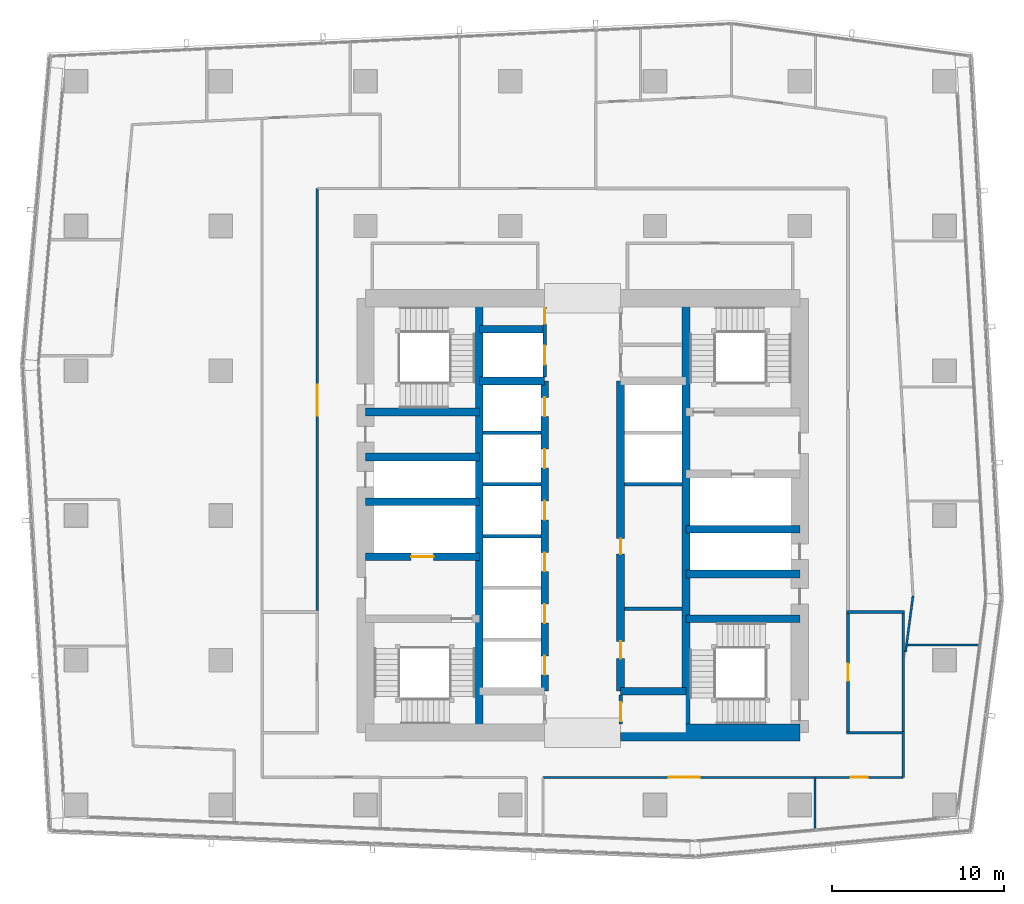
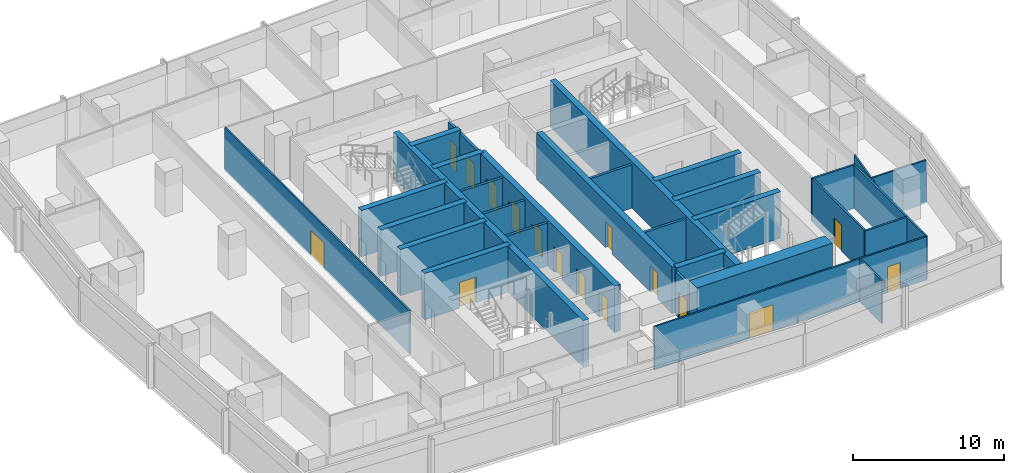
# One storey, part 28 of 38: 34 walls, 16 doors, 16 openings.
"""IFC4 building model written with IfcOpenShell, lengths in metres."""

import ifcopenshell
import ifcopenshell.guid

model = None  # the IFC model being written
_history = None  # IfcOwnerHistory: only IFC2X3 demands one
_inside = {}  # id of a spatial element -> (the spatial element, [elements in it])
_under = {}  # id of a project, library or spatial element -> (it, [spatial elements below it])
_declared = {}  # id of a project -> (the project, [libraries it declares])
_typed = {}  # id of a type object -> (the type object, [elements of that type])
_made_of = {}  # id of a material, layer set ... -> (it, [elements and type objects made of it])


def new_model(schema):
    """Start an empty IFC model of exactly this schema.

    Asked for "IFC4X3", IfcOpenShell would pick the latest addendum, in which some entities
    have other attributes; the version numbers below select the first issue.
    IFC2X3 requires an IfcOwnerHistory on every rooted entity: one is made here for all.
    """
    global model, _history
    if schema == "IFC4X3":
        model = ifcopenshell.file(schema_version=(4, 3, 0, 0))
    else:
        model = ifcopenshell.file(schema=schema)
    _inside.clear()
    _under.clear()
    _declared.clear()
    _typed.clear()
    _made_of.clear()
    _history = None
    if model.schema == "IFC2X3":
        org = make("IfcOrganization", Name="unknown")
        user = make(
            "IfcPersonAndOrganization",
            ThePerson=make("IfcPerson", FamilyName="unknown"),
            TheOrganization=org,
        )
        app = make(
            "IfcApplication",
            ApplicationDeveloper=org,
            Version="unknown",
            ApplicationFullName="unknown",
            ApplicationIdentifier="unknown",
        )
        _history = make(
            "IfcOwnerHistory",
            OwningUser=user,
            OwningApplication=app,
            ChangeAction="ADDED",
            CreationDate=0,
        )
    return model


def make(cls, **values):
    """One entity of the class cls with the attributes given. An attribute that is None is left unset."""
    return model.create_entity(
        cls, **{name: value for name, value in values.items() if value is not None}
    )


def rooted(cls, **values):
    """An entity with a GlobalId (a new one), such as an element, a storey or a relation."""
    return make(cls, GlobalId=ifcopenshell.guid.new(), OwnerHistory=_history, **values)


def si_unit(unit_type, name, prefix=None):
    """IfcSIUnit, for example si_unit("LENGTHUNIT", "METRE", prefix="MILLI")."""
    return make("IfcSIUnit", UnitType=unit_type, Prefix=prefix, Name=name)


def assignment(units):
    """IfcUnitAssignment: the units of a project."""
    return None if units is None else make("IfcUnitAssignment", Units=units)


def point(xyz):
    """IfcCartesianPoint."""
    return None if xyz is None else make("IfcCartesianPoint", Coordinates=xyz)


def direction(xyz):
    """IfcDirection."""
    return None if xyz is None else make("IfcDirection", DirectionRatios=xyz)


def frame(location, z_axis=None, x_axis=None):
    """IfcAxis2Placement3D, a coordinate frame: its origin and axes. An axis left out is left unset."""
    return make(
        "IfcAxis2Placement3D",
        Location=point(location),
        Axis=direction(z_axis),
        RefDirection=direction(x_axis),
    )


def frame_2d(location, x_axis=None):
    """IfcAxis2Placement2D, a coordinate frame in the plane: its origin and x axis."""
    return make(
        "IfcAxis2Placement2D", Location=point(location), RefDirection=direction(x_axis)
    )


def origin():
    """The frame at (0, 0, 0) with its axes left unset."""
    return frame((0.0, 0.0, 0.0))


def place(relative_to, where):
    """IfcLocalPlacement: puts the frame where relative to a parent placement (None: the world)."""
    return make(
        "IfcLocalPlacement", PlacementRelTo=relative_to, RelativePlacement=where
    )


def context(
    kind, dimensions, precision=None, world=None, true_north=None, identifier=None
):
    """IfcGeometricRepresentationContext, for example the 3D "Model" context."""
    return make(
        "IfcGeometricRepresentationContext",
        ContextIdentifier=identifier,
        ContextType=kind,
        CoordinateSpaceDimension=dimensions,
        Precision=precision,
        WorldCoordinateSystem=world,
        TrueNorth=true_north,
    )


def subcontext(parent, identifier, kind, view, scale=None):
    """IfcGeometricRepresentationSubContext, for example "Body" below "Model"."""
    return make(
        "IfcGeometricRepresentationSubContext",
        ContextIdentifier=identifier,
        ContextType=kind,
        ParentContext=parent,
        TargetScale=scale,
        TargetView=view,
    )


def project(units=None, contexts=None):
    """IfcProject with its units and contexts."""
    return rooted(
        "IfcProject",
        Name="project",
        RepresentationContexts=contexts,
        UnitsInContext=assignment(units),
    )


def spatial(cls, under=None, at=None, **own):
    """A site, building, storey or space (cls), placed at a placement, below another one or the project."""
    s = rooted(cls, ObjectPlacement=at, **own)
    if under is not None:
        _under.setdefault(under.id(), (under, []))[1].append(s)
    return s


def profile(cls, at=None, kind="AREA", **sizes):
    """A parametric profile (cls). Its sizes go by their IFC names, for example OverallWidth=200.0."""
    return make(cls, ProfileType=kind, Position=at, **sizes)


def rectangle(**sizes):
    """IfcRectangleProfileDef."""
    return profile("IfcRectangleProfileDef", **sizes)


def extrude(swept, where, along, depth):
    """IfcExtrudedAreaSolid: the profile swept, set in the frame where, extruded along a direction by depth."""
    return make(
        "IfcExtrudedAreaSolid",
        SweptArea=swept,
        Position=where,
        ExtrudedDirection=direction(along),
        Depth=depth,
    )


def shape(context_of_items, identifier, shape_type, items):
    """IfcShapeRepresentation: the items that make up one representation, for example the "Body"."""
    return make(
        "IfcShapeRepresentation",
        ContextOfItems=context_of_items,
        RepresentationIdentifier=identifier,
        RepresentationType=shape_type,
        Items=items,
    )


def material(Name=None, Category=None):
    """IfcMaterial."""
    return make("IfcMaterial", Name=Name, Category=Category)


def layer(
    of_material, thickness, ventilated=None, Name=None, Category=None, Priority=None
):
    """IfcMaterialLayer: one layer of a wall or slab, of a material (None: an air gap)."""
    return make(
        "IfcMaterialLayer",
        Material=of_material,
        LayerThickness=thickness,
        IsVentilated=ventilated,
        Name=Name,
        Category=Category,
        Priority=Priority,
    )


def layer_set(layers, Name=None):
    """IfcMaterialLayerSet."""
    return make("IfcMaterialLayerSet", MaterialLayers=layers, LayerSetName=Name)


def made_of(thing, what):
    """Note that an element or type object is made of a material, layer set ...; save() writes the relation."""
    if what is not None:
        _made_of.setdefault(what.id(), (what, []))[1].append(thing)
    return thing


def type_object(cls, material=None, **own):
    """A type object (cls), such as IfcWallType, which elements share."""
    return made_of(rooted(cls, **own), material)


def element(
    cls,
    number,
    at=None,
    inside=None,
    cuts=None,
    type_object=None,
    material=None,
    context=None,
    identifier="Body",
    shape_type=None,
    held_by="IfcProductDefinitionShape",
    body=None,
    shapes=None,
    **own,
):
    """One element of the class cls, such as IfcWall. Its Tag is "e" and its number.

    at: its placement. inside: the storey or other place that contains it. cuts: it is an
    opening in that element (IfcRelVoidsElement). A single representation is given by context,
    identifier, shape_type and body (its items); several are given by shapes. held_by: the class
    of the entity that holds the representations. save() writes the other relations.
    """
    e = rooted(cls, Tag="e%d" % number, ObjectPlacement=at, **own)
    if body is not None:
        shapes = [shape(context, identifier, shape_type, body)]
    if shapes is not None:
        e.Representation = make(held_by, Representations=shapes)
    if inside is not None:
        _inside.setdefault(inside.id(), (inside, []))[1].append(e)
    if cuts is not None:
        rooted(
            "IfcRelVoidsElement", RelatingBuildingElement=cuts, RelatedOpeningElement=e
        )
    if type_object is not None:
        _typed.setdefault(type_object.id(), (type_object, []))[1].append(e)
    return made_of(e, material)


def fill(opening, filler):
    """IfcRelFillsElement: the door or window that sits in an opening."""
    return rooted(
        "IfcRelFillsElement",
        RelatingOpeningElement=opening,
        RelatedBuildingElement=filler,
    )


def aggregate(whole, parts):
    """IfcRelAggregates: a whole, such as a stair, and the parts it consists of."""
    return rooted("IfcRelAggregates", RelatingObject=whole, RelatedObjects=parts)


def save(model, path):
    """Write the relations noted so far, then the file.

    IfcRelAggregates (storeys below a building ...), IfcRelContainedInSpatialStructure (elements
    in a storey), IfcRelDefinesByType, IfcRelAssociatesMaterial and IfcRelDeclares: one each for
    every whole, place, type object, material and project.
    """
    for whole, parts in _under.values():
        aggregate(whole, parts)
    for where, things in _inside.values():
        rooted(
            "IfcRelContainedInSpatialStructure",
            RelatedElements=things,
            RelatingStructure=where,
        )
    for kind, things in _typed.values():
        rooted("IfcRelDefinesByType", RelatedObjects=things, RelatingType=kind)
    for what, things in _made_of.values():
        rooted("IfcRelAssociatesMaterial", RelatedObjects=things, RelatingMaterial=what)
    for by, libraries in _declared.values():
        rooted("IfcRelDeclares", RelatingContext=by, RelatedDefinitions=libraries)
    model.write(path)


model = new_model("IFC4")

# Units and contexts
model_context = context("Model", 3, precision=1e-05, world=origin(), true_north=direction((0.0, 1.0)))
body_context = subcontext(model_context, "Body", "Model", "MODEL_VIEW")
ifc_project = project(units=[si_unit("LENGTHUNIT", "METRE"), si_unit("AREAUNIT", "SQUARE_METRE"), si_unit("VOLUMEUNIT", "CUBIC_METRE"), si_unit("PLANEANGLEUNIT", "RADIAN"), si_unit("MASSUNIT", "GRAM", prefix="KILO")], contexts=[model_context])

# Site, building, storey
site_placement = place(None, origin())
site = spatial("IfcSite", under=ifc_project, at=site_placement, CompositionType="ELEMENT")
building_placement = place(site_placement, origin())
building = spatial("IfcBuilding", under=site, at=building_placement, Name="Rekha Terrace Tower", CompositionType="ELEMENT")
storey_placement = place(building_placement, frame((0.0, 0.0, 202.699951171875)))
storey = spatial("IfcBuildingStorey", under=building, at=storey_placement, Name="L51", CompositionType="ELEMENT", Elevation=202.699951171875)

# Walls
ifc_material_1 = material(Name="Concrete M60", Category="concrete")
ifc_layer_1 = layer(ifc_material_1, 0.449951171875)
ifc_layer_set_1 = layer_set([ifc_layer_1], Name="Concrete M60")
wall_type_1 = type_object("IfcWallType", Name="CI3 450 core internal shear wall", PredefinedType="SHEAR", material=ifc_layer_set_1)
for number, where, z_axis, x_axis, name in (
    (1, (31.800048828125, 21.0, 0.0), (0.0, 0.0, 1.0), (0.0, 1.0, 0.0), "Core wall X318 L51"),
    (2, (43.800048828125, 21.0, 0.0), (0.0, 0.0, 1.0), (0.0, 1.0, 0.0), "Core wall X438 L51"),
):
    element("IfcWall", number, at=place(storey_placement, frame(where, z_axis=z_axis, x_axis=x_axis)), inside=storey, type_object=wall_type_1, Name=name, PredefinedType="SHEAR", context=body_context, shape_type="SweptSolid", body=[
        extrude(rectangle(XDim=25.199951171875, YDim=0.449951171875, at=frame_2d((12.60009765625, 0.0))), origin(), (0.0, 0.0, 1.0), 3.75),
    ])

# Wall, openings, doors
wall_1_placement = place(storey_placement, frame((35.60009765625, 23.39990234375, 0.0), z_axis=(0.0, 0.0, 1.0), x_axis=(0.0, 1.0, 0.0)))
wall_1 = element("IfcWall", 3, at=wall_1_placement, inside=storey, type_object=wall_type_1, Name="Core wall X356 L51", PredefinedType="SHEAR", context=body_context, shape_type="SweptSolid", body=[
    extrude(rectangle(XDim=18.0, YDim=0.449951171875, at=frame_2d((9.0, 0.0))), origin(), (0.0, 0.0, 1.0), 3.75),
])
opening_1_placement = place(wall_1_placement, frame((0.949951171875, 0.0, 0.0)))
opening_1 = element("IfcOpeningElement", 4, at=opening_1_placement, cuts=wall_1, Name="Opening LD1", PredefinedType="OPENING", context=body_context, shape_type="SweptSolid", body=[
    extrude(rectangle(XDim=1.10009765625, YDim=2.10009765625, at=frame_2d((0.550048828125, 1.050048828125))), frame((0.0, 0.23486328125, 0.0), z_axis=(0.0, -1.0, 0.0), x_axis=(1.0, 0.0, 0.0)), (0.0, 0.0, 1.0), 0.469970703125),
])
opening_2_placement = place(wall_1_placement, frame((3.949951171875, 0.0, 0.0)))
opening_2 = element("IfcOpeningElement", 5, at=opening_2_placement, cuts=wall_1, Name="Opening LD1", PredefinedType="OPENING", context=body_context, shape_type="SweptSolid", body=[
    extrude(rectangle(XDim=1.10009765625, YDim=2.10009765625, at=frame_2d((0.550048828125, 1.050048828125))), frame((0.0, 0.23486328125, 0.0), z_axis=(0.0, -1.0, 0.0), x_axis=(1.0, 0.0, 0.0)), (0.0, 0.0, 1.0), 0.469970703125),
])
opening_3_placement = place(wall_1_placement, frame((6.949951171875, 0.0, 0.0)))
opening_3 = element("IfcOpeningElement", 6, at=opening_3_placement, cuts=wall_1, Name="Opening LD1", PredefinedType="OPENING", context=body_context, shape_type="SweptSolid", body=[
    extrude(rectangle(XDim=1.10009765625, YDim=2.10009765625, at=frame_2d((0.550048828125, 1.050048828125))), frame((0.0, 0.23486328125, 0.0), z_axis=(0.0, -1.0, 0.0), x_axis=(1.0, 0.0, 0.0)), (0.0, 0.0, 1.0), 0.469970703125),
])
opening_4_placement = place(wall_1_placement, frame((9.949951171875, 0.0, 0.0)))
opening_4 = element("IfcOpeningElement", 7, at=opening_4_placement, cuts=wall_1, Name="Opening LD1", PredefinedType="OPENING", context=body_context, shape_type="SweptSolid", body=[
    extrude(rectangle(XDim=1.10009765625, YDim=2.10009765625, at=frame_2d((0.550048828125, 1.050048828125))), frame((0.0, 0.23486328125, 0.0), z_axis=(0.0, -1.0, 0.0), x_axis=(1.0, 0.0, 0.0)), (0.0, 0.0, 1.0), 0.469970703125),
])
opening_5_placement = place(wall_1_placement, frame((12.949951171875, 0.0, 0.0)))
opening_5 = element("IfcOpeningElement", 8, at=opening_5_placement, cuts=wall_1, Name="Opening LD1", PredefinedType="OPENING", context=body_context, shape_type="SweptSolid", body=[
    extrude(rectangle(XDim=1.10009765625, YDim=2.10009765625, at=frame_2d((0.550048828125, 1.050048828125))), frame((0.0, 0.23486328125, 0.0), z_axis=(0.0, -1.0, 0.0), x_axis=(1.0, 0.0, 0.0)), (0.0, 0.0, 1.0), 0.469970703125),
])
opening_6_placement = place(wall_1_placement, frame((15.949951171875, 0.0, 0.0)))
opening_6 = element("IfcOpeningElement", 9, at=opening_6_placement, cuts=wall_1, Name="Opening LD1", PredefinedType="OPENING", context=body_context, shape_type="SweptSolid", body=[
    extrude(rectangle(XDim=1.10009765625, YDim=2.10009765625, at=frame_2d((0.550048828125, 1.050048828125))), frame((0.0, 0.23486328125, 0.0), z_axis=(0.0, -1.0, 0.0), x_axis=(1.0, 0.0, 0.0)), (0.0, 0.0, 1.0), 0.469970703125),
])
ifc_material_2 = material(Name="Stainless steel sliding landing door", Category="steel")
door_type_1 = type_object("IfcDoorType", Name="LD1 1100x2100 lift landing door", OperationType="SLIDING_TO_LEFT", PredefinedType="USERDEFINED", material=ifc_material_2)
door_1_placement = place(opening_1_placement, origin())
door_1 = element("IfcDoor", 10, at=door_1_placement, inside=storey, type_object=door_type_1, Name="Lift C1 landing door L51", ObjectType="LIFT LANDING DOOR", OperationType="SLIDING_TO_LEFT", OverallHeight=2.10009765625, OverallWidth=1.10009765625, PredefinedType="USERDEFINED", context=body_context, shape_type="SweptSolid", body=[
    extrude(rectangle(XDim=1.10009765625, YDim=2.10009765625, at=frame_2d((0.550048828125, 1.050048828125))), frame((0.0, 0.02490234375, 0.0), z_axis=(0.0, -1.0, 0.0), x_axis=(1.0, 0.0, 0.0)), (0.0, 0.0, 1.0), 0.050048828125),
])
fill(opening_1, door_1)
door_2_placement = place(opening_2_placement, origin())
door_2 = element("IfcDoor", 11, at=door_2_placement, inside=storey, type_object=door_type_1, Name="Lift C2 landing door L51", ObjectType="LIFT LANDING DOOR", OperationType="SLIDING_TO_LEFT", OverallHeight=2.10009765625, OverallWidth=1.10009765625, PredefinedType="USERDEFINED", context=body_context, shape_type="SweptSolid", body=[
    extrude(rectangle(XDim=1.10009765625, YDim=2.10009765625, at=frame_2d((0.550048828125, 1.050048828125))), frame((0.0, 0.02490234375, 0.0), z_axis=(0.0, -1.0, 0.0), x_axis=(1.0, 0.0, 0.0)), (0.0, 0.0, 1.0), 0.050048828125),
])
fill(opening_2, door_2)
door_3_placement = place(opening_3_placement, origin())
door_3 = element("IfcDoor", 12, at=door_3_placement, inside=storey, type_object=door_type_1, Name="Lift C3 landing door L51", ObjectType="LIFT LANDING DOOR", OperationType="SLIDING_TO_LEFT", OverallHeight=2.10009765625, OverallWidth=1.10009765625, PredefinedType="USERDEFINED", context=body_context, shape_type="SweptSolid", body=[
    extrude(rectangle(XDim=1.10009765625, YDim=2.10009765625, at=frame_2d((0.550048828125, 1.050048828125))), frame((0.0, 0.02490234375, 0.0), z_axis=(0.0, -1.0, 0.0), x_axis=(1.0, 0.0, 0.0)), (0.0, 0.0, 1.0), 0.050048828125),
])
fill(opening_3, door_3)
door_4_placement = place(opening_4_placement, origin())
door_4 = element("IfcDoor", 13, at=door_4_placement, inside=storey, type_object=door_type_1, Name="Lift C4 landing door L51", ObjectType="LIFT LANDING DOOR", OperationType="SLIDING_TO_LEFT", OverallHeight=2.10009765625, OverallWidth=1.10009765625, PredefinedType="USERDEFINED", context=body_context, shape_type="SweptSolid", body=[
    extrude(rectangle(XDim=1.10009765625, YDim=2.10009765625, at=frame_2d((0.550048828125, 1.050048828125))), frame((0.0, 0.02490234375, 0.0), z_axis=(0.0, -1.0, 0.0), x_axis=(1.0, 0.0, 0.0)), (0.0, 0.0, 1.0), 0.050048828125),
])
fill(opening_4, door_4)
door_5_placement = place(opening_5_placement, origin())
door_5 = element("IfcDoor", 14, at=door_5_placement, inside=storey, type_object=door_type_1, Name="Lift C5 landing door L51", ObjectType="LIFT LANDING DOOR", OperationType="SLIDING_TO_LEFT", OverallHeight=2.10009765625, OverallWidth=1.10009765625, PredefinedType="USERDEFINED", context=body_context, shape_type="SweptSolid", body=[
    extrude(rectangle(XDim=1.10009765625, YDim=2.10009765625, at=frame_2d((0.550048828125, 1.050048828125))), frame((0.0, 0.02490234375, 0.0), z_axis=(0.0, -1.0, 0.0), x_axis=(1.0, 0.0, 0.0)), (0.0, 0.0, 1.0), 0.050048828125),
])
fill(opening_5, door_5)
door_6_placement = place(opening_6_placement, origin())
door_6 = element("IfcDoor", 15, at=door_6_placement, inside=storey, type_object=door_type_1, Name="Lift C6 landing door L51", ObjectType="LIFT LANDING DOOR", OperationType="SLIDING_TO_LEFT", OverallHeight=2.10009765625, OverallWidth=1.10009765625, PredefinedType="USERDEFINED", context=body_context, shape_type="SweptSolid", body=[
    extrude(rectangle(XDim=1.10009765625, YDim=2.10009765625, at=frame_2d((0.550048828125, 1.050048828125))), frame((0.0, 0.02490234375, 0.0), z_axis=(0.0, -1.0, 0.0), x_axis=(1.0, 0.0, 0.0)), (0.0, 0.0, 1.0), 0.050048828125),
])
fill(opening_6, door_6)

wall_2_placement = place(storey_placement, frame((40.0, 23.39990234375, 0.0), z_axis=(0.0, 0.0, 1.0), x_axis=(0.0, 1.0, 0.0)))
wall_2 = element("IfcWall", 16, at=wall_2_placement, inside=storey, type_object=wall_type_1, Name="Core wall X400 L51", PredefinedType="SHEAR", context=body_context, shape_type="SweptSolid", body=[
    extrude(rectangle(XDim=18.0, YDim=0.449951171875, at=frame_2d((9.0, 0.0))), origin(), (0.0, 0.0, 1.0), 3.75),
])
opening_7_placement = place(wall_2_placement, frame((1.89990234375, 0.0, 0.0)))
opening_7 = element("IfcOpeningElement", 17, at=opening_7_placement, cuts=wall_2, Name="Opening D9", PredefinedType="OPENING", context=body_context, shape_type="SweptSolid", body=[
    extrude(rectangle(XDim=1.0, YDim=2.10009765625, at=frame_2d((0.5, 1.050048828125))), frame((0.0, 0.23486328125, 0.0), z_axis=(0.0, -1.0, 0.0), x_axis=(1.0, 0.0, 0.0)), (0.0, 0.0, 1.0), 0.469970703125),
])
opening_8_placement = place(wall_2_placement, frame((7.949951171875, 0.0, 0.0)))
opening_8 = element("IfcOpeningElement", 18, at=opening_8_placement, cuts=wall_2, Name="Opening D5", PredefinedType="OPENING", context=body_context, shape_type="SweptSolid", body=[
    extrude(rectangle(XDim=0.89990234375, YDim=2.10009765625, at=frame_2d((0.449951171875, 1.050048828125))), frame((0.0, 0.23486328125, 0.0), z_axis=(0.0, -1.0, 0.0), x_axis=(1.0, 0.0, 0.0)), (0.0, 0.0, 1.0), 0.469970703125),
])
ifc_material_3 = material(Name="Steel fire door", Category="steel")
door_type_2 = type_object("IfcDoorType", Name="D5 900x2100 riser access door", OperationType="SINGLE_SWING_LEFT", PredefinedType="DOOR", material=ifc_material_3)
door_7_placement = place(opening_8_placement, origin())
door_7 = element("IfcDoor", 19, at=door_7_placement, inside=storey, type_object=door_type_2, Name="Door back-of-house store L51", OperationType="SINGLE_SWING_LEFT", OverallHeight=2.10009765625, OverallWidth=0.89990234375, PredefinedType="DOOR", context=body_context, shape_type="SweptSolid", body=[
    extrude(rectangle(XDim=0.89990234375, YDim=2.10009765625, at=frame_2d((0.449951171875, 1.050048828125))), frame((0.0, 0.02490234375, 0.0), z_axis=(0.0, -1.0, 0.0), x_axis=(1.0, 0.0, 0.0)), (0.0, 0.0, 1.0), 0.050048828125),
])
fill(opening_8, door_7)
ifc_material_4 = material(Name="Timber fire door", Category="wood")
door_type_3 = type_object("IfcDoorType", Name="D9 1000x2100 office door", OperationType="SINGLE_SWING_LEFT", PredefinedType="DOOR", material=ifc_material_4)
door_8_placement = place(opening_7_placement, origin())
door_8 = element("IfcDoor", 20, at=door_8_placement, inside=storey, type_object=door_type_3, Name="Door pantry and vending room L51", OperationType="SINGLE_SWING_LEFT", OverallHeight=2.10009765625, OverallWidth=1.0, PredefinedType="DOOR", context=body_context, shape_type="SweptSolid", body=[
    extrude(rectangle(XDim=1.0, YDim=2.10009765625, at=frame_2d((0.5, 1.050048828125))), frame((0.0, 0.02490234375, 0.0), z_axis=(0.0, -1.0, 0.0), x_axis=(1.0, 0.0, 0.0)), (0.0, 0.0, 1.0), 0.050048828125),
])
fill(opening_7, door_8)

# Walls
for number, where, z_axis, x_axis, name in (
    (21, (31.800048828125, 41.39990234375, 0.0), (0.0, 0.0, 1.0), (1.0, 0.0, 0.0), "Core wall Y414W L51"),
    (22, (31.800048828125, 44.39990234375, 0.0), (0.0, 0.0, 1.0), (1.0, 0.0, 0.0), "Core wall Y444W L51"),
    (23, (40.0, 23.39990234375, 0.0), (0.0, 0.0, 1.0), (1.0, 0.0, 0.0), "Core wall Y234E L51"),
):
    element("IfcWall", number, at=place(storey_placement, frame(where, z_axis=z_axis, x_axis=x_axis)), inside=storey, type_object=wall_type_1, Name=name, PredefinedType="SHEAR", context=body_context, shape_type="SweptSolid", body=[
        extrude(rectangle(XDim=3.800048828125, YDim=0.449951171875, at=frame_2d((1.89990234375, 0.0))), origin(), (0.0, 0.0, 1.0), 3.75),
    ])

# Wall, opening, door
wall_3_placement = place(storey_placement, frame((25.199951171875, 31.199951171875, 0.0), z_axis=(0.0, 0.0, 1.0), x_axis=(1.0, 0.0, 0.0)))
wall_3 = element("IfcWall", 24, at=wall_3_placement, inside=storey, type_object=wall_type_1, Name="Core wall Y312W L51", PredefinedType="SHEAR", context=body_context, shape_type="SweptSolid", body=[
    extrude(rectangle(XDim=6.60009765625, YDim=0.449951171875, at=frame_2d((3.300048828125, 0.0))), origin(), (0.0, 0.0, 1.0), 3.75),
])
opening_9_placement = place(wall_3_placement, frame((2.64990234375, 0.0, 0.0)))
opening_9 = element("IfcOpeningElement", 25, at=opening_9_placement, cuts=wall_3, Name="Opening LD2", PredefinedType="OPENING", context=body_context, shape_type="SweptSolid", body=[
    extrude(rectangle(XDim=1.300048828125, YDim=2.10009765625, at=frame_2d((0.64990234375, 1.050048828125))), frame((0.0, 0.23486328125, 0.0), z_axis=(0.0, -1.0, 0.0), x_axis=(1.0, 0.0, 0.0)), (0.0, 0.0, 1.0), 0.469970703125),
])
door_type_4 = type_object("IfcDoorType", Name="LD2 1300x2100 fire lift landing door", OperationType="SLIDING_TO_LEFT", PredefinedType="USERDEFINED", material=ifc_material_2)
door_9_placement = place(opening_9_placement, origin())
door_9 = element("IfcDoor", 26, at=door_9_placement, inside=storey, type_object=door_type_4, Name="Lift FL1 landing door L51", ObjectType="LIFT LANDING DOOR", OperationType="SLIDING_TO_LEFT", OverallHeight=2.10009765625, OverallWidth=1.300048828125, PredefinedType="USERDEFINED", context=body_context, shape_type="SweptSolid", body=[
    extrude(rectangle(XDim=1.300048828125, YDim=2.10009765625, at=frame_2d((0.64990234375, 1.050048828125))), frame((0.0, 0.02490234375, 0.0), z_axis=(0.0, -1.0, 0.0), x_axis=(1.0, 0.0, 0.0)), (0.0, 0.0, 1.0), 0.050048828125),
])
fill(opening_9, door_9)

# Walls
for number, where, z_axis, x_axis, name in (
    (27, (25.199951171875, 34.39990234375, 0.0), (0.0, 0.0, 1.0), (1.0, 0.0, 0.0), "Core wall Y344W L51"),
    (28, (25.199951171875, 37.0, 0.0), (0.0, 0.0, 1.0), (1.0, 0.0, 0.0), "Core wall Y370W L51"),
    (29, (25.199951171875, 39.60009765625, 0.0), (0.0, 0.0, 1.0), (1.0, 0.0, 0.0), "Core wall Y396W L51"),
):
    element("IfcWall", number, at=place(storey_placement, frame(where, z_axis=z_axis, x_axis=x_axis)), inside=storey, type_object=wall_type_1, Name=name, PredefinedType="SHEAR", context=body_context, shape_type="SweptSolid", body=[
        extrude(rectangle(XDim=6.60009765625, YDim=0.449951171875, at=frame_2d((3.300048828125, 0.0))), origin(), (0.0, 0.0, 1.0), 3.75),
    ])
for number, where, z_axis, x_axis, name in (
    (30, (43.800048828125, 27.60009765625, 0.0), (0.0, 0.0, 1.0), (1.0, 0.0, 0.0), "Core wall Y276E L51"),
    (31, (43.800048828125, 30.199951171875, 0.0), (0.0, 0.0, 1.0), (1.0, 0.0, 0.0), "Core wall Y302E L51"),
    (32, (43.800048828125, 32.800048828125, 0.0), (0.0, 0.0, 1.0), (1.0, 0.0, 0.0), "Core wall Y328E L51"),
):
    element("IfcWall", number, at=place(storey_placement, frame(where, z_axis=z_axis, x_axis=x_axis)), inside=storey, type_object=wall_type_1, Name=name, PredefinedType="SHEAR", context=body_context, shape_type="SweptSolid", body=[
        extrude(rectangle(XDim=6.599853515625, YDim=0.449951171875, at=frame_2d((3.2998046875, 0.0))), origin(), (0.0, 0.0, 1.0), 3.75),
    ])
ifc_layer_2 = layer(ifc_material_1, 1.0)
ifc_layer_set_2 = layer_set([ifc_layer_2], Name="Concrete M60")
wall_type_2 = type_object("IfcWallType", Name="SW3 1000 core outer shear wall", PredefinedType="SHEAR", material=ifc_layer_set_2)
wall_4_placement = place(storey_placement, frame((40.0, 21.0, 0.0), z_axis=(0.0, 0.0, 1.0), x_axis=(1.0, 0.0, 0.0)))
element("IfcWall", 33, at=wall_4_placement, inside=storey, type_object=wall_type_2, Name="Core wall S2 L51", PredefinedType="SHEAR", context=body_context, shape_type="SweptSolid", body=[
    extrude(rectangle(XDim=10.39990234375, YDim=1.0, at=frame_2d((5.199951171875, 0.0))), origin(), (0.0, 0.0, 1.0), 3.75),
])
ifc_material_5 = material(Name="Concrete block masonry, 1 hour", Category="masonry")
ifc_layer_3 = layer(ifc_material_5, 0.14990234375)
ifc_layer_set_3 = layer_set([ifc_layer_3], Name="Concrete block masonry, 1 hour")
wall_type_3 = type_object("IfcWallType", Name="WP2 150 tenancy partition", PredefinedType="PARTITIONING", material=ifc_layer_set_3)
for number, where, z_axis, x_axis, name in (
    (34, (53.125, 21.0, 0.0), (0.0, 0.0, 1.0), (1.0, 0.0, 0.0), "Men's WC wall L51"),
    (35, (53.125, 28.0, 0.0), (0.0, 0.0, 1.0), (1.0, 0.0, 0.0), "Men's WC wall L51"),
):
    element("IfcWall", number, at=place(storey_placement, frame(where, z_axis=z_axis, x_axis=x_axis)), inside=storey, type_object=wall_type_3, Name=name, PredefinedType="PARTITIONING", context=body_context, shape_type="SweptSolid", body=[
        extrude(rectangle(XDim=3.35009765625, YDim=0.14990234375, at=frame_2d((1.675048828125, 0.0))), origin(), (0.0, 0.0, 1.0), 3.5),
    ])

# Wall, opening, door
wall_5_placement = place(storey_placement, frame((53.199951171875, 21.074951171875, 0.0), z_axis=(0.0, 0.0, 1.0), x_axis=(0.0, 1.0, 0.0)))
wall_5 = element("IfcWall", 36, at=wall_5_placement, inside=storey, type_object=wall_type_3, Name="Men's WC wall L51", PredefinedType="PARTITIONING", context=body_context, shape_type="SweptSolid", body=[
    extrude(rectangle(XDim=6.85009765625, YDim=0.14990234375, at=frame_2d((3.425048828125, 0.0))), origin(), (0.0, 0.0, 1.0), 3.5),
])
opening_10_placement = place(wall_5_placement, frame((2.925048828125, 0.0, 0.0)))
opening_10 = element("IfcOpeningElement", 37, at=opening_10_placement, cuts=wall_5, Name="Opening D3", PredefinedType="OPENING", context=body_context, shape_type="SweptSolid", body=[
    extrude(rectangle(XDim=1.0, YDim=2.10009765625, at=frame_2d((0.5, 1.050048828125))), frame((0.0, 0.0849609375, 0.0), z_axis=(0.0, -1.0, 0.0), x_axis=(1.0, 0.0, 0.0)), (0.0, 0.0, 1.0), 0.169921875),
])
ifc_material_6 = material(Name="Laminated timber fire door", Category="wood")
door_type_5 = type_object("IfcDoorType", Name="D3 1000x2100 WC door", OperationType="SINGLE_SWING_LEFT", PredefinedType="DOOR", material=ifc_material_6)
door_10_placement = place(opening_10_placement, origin())
door_10 = element("IfcDoor", 38, at=door_10_placement, inside=storey, type_object=door_type_5, Name="Door men's wc L51", OperationType="SINGLE_SWING_LEFT", OverallHeight=2.10009765625, OverallWidth=1.0, PredefinedType="DOOR", context=body_context, shape_type="SweptSolid", body=[
    extrude(rectangle(XDim=1.0, YDim=2.10009765625, at=frame_2d((0.5, 1.050048828125))), frame((0.0, 0.02490234375, 0.0), z_axis=(0.0, -1.0, 0.0), x_axis=(1.0, 0.0, 0.0)), (0.0, 0.0, 1.0), 0.050048828125),
])
fill(opening_10, door_10)

# Walls
wall_6_placement = place(storey_placement, frame((56.39990234375, 21.074951171875, 0.0), z_axis=(0.0, 0.0, 1.0), x_axis=(0.0, 1.0, 0.0)))
element("IfcWall", 39, at=wall_6_placement, inside=storey, type_object=wall_type_3, Name="Men's WC wall L51", PredefinedType="PARTITIONING", context=body_context, shape_type="SweptSolid", body=[
    extrude(rectangle(XDim=6.85009765625, YDim=0.14990234375, at=frame_2d((3.425048828125, 0.0))), origin(), (0.0, 0.0, 1.0), 3.5),
])
ifc_material_7 = material(Name="Two layers of fire-rated gypsum board each side on steel studs, acoustic quilt, 1 hour", Category="steel")
ifc_layer_4 = layer(ifc_material_7, 0.125)
ifc_layer_set_4 = layer_set([ifc_layer_4], Name="Two layers of fire-rated gypsum board each side on steel studs, acoustic quilt, 1 hour")
wall_type_4 = type_object("IfcWallType", Name="WP3 125 office partition", PredefinedType="PARTITIONING", material=ifc_layer_set_4)
wall_7_placement = place(storey_placement, frame((51.291015625, 15.44189453125, 0.0), z_axis=(0.0, 0.0, 1.0), x_axis=(0.0, 1.0, 0.0)))
element("IfcWall", 40, at=wall_7_placement, inside=storey, type_object=wall_type_4, Name="Partition L51-02", PredefinedType="PARTITIONING", context=body_context, shape_type="SweptSolid", body=[
    extrude(rectangle(XDim=2.9580078125, YDim=0.125, at=frame_2d((1.47900390625, 0.0))), origin(), (0.0, 0.0, 1.0), 3.5),
])

# Wall, opening, door
wall_8_placement = place(storey_placement, frame((51.291015625, 18.39990234375, 0.0), z_axis=(0.0, 0.0, 1.0), x_axis=(1.0, 0.0, 0.0)))
wall_8 = element("IfcWall", 41, at=wall_8_placement, inside=storey, type_object=wall_type_4, Name="Partition L51-02", PredefinedType="PARTITIONING", context=body_context, shape_type="SweptSolid", body=[
    extrude(rectangle(XDim=5.10888671875, YDim=0.125, at=frame_2d((2.554443359375, 0.0))), origin(), (0.0, 0.0, 1.0), 3.5),
])
opening_11_placement = place(wall_8_placement, frame((2.054931640625, 0.0, 0.0)))
opening_11 = element("IfcOpeningElement", 42, at=opening_11_placement, cuts=wall_8, Name="Opening D9", PredefinedType="OPENING", context=body_context, shape_type="SweptSolid", body=[
    extrude(rectangle(XDim=1.0, YDim=2.10009765625, at=frame_2d((0.5, 1.050048828125))), frame((0.0, 0.072509765625, 0.0), z_axis=(0.0, -1.0, 0.0), x_axis=(1.0, 0.0, 0.0)), (0.0, 0.0, 1.0), 0.14501953125),
])
door_11_placement = place(opening_11_placement, origin())
door_11 = element("IfcDoor", 43, at=door_11_placement, inside=storey, type_object=door_type_3, Name="Door director's office L51", OperationType="SINGLE_SWING_LEFT", OverallHeight=2.10009765625, OverallWidth=1.0, PredefinedType="DOOR", context=body_context, shape_type="SweptSolid", body=[
    extrude(rectangle(XDim=1.0, YDim=2.10009765625, at=frame_2d((0.5, 1.050048828125))), frame((0.0, 0.02490234375, 0.0), z_axis=(0.0, -1.0, 0.0), x_axis=(1.0, 0.0, 0.0)), (0.0, 0.0, 1.0), 0.050048828125),
])
fill(opening_11, door_11)

# Walls
wall_9_placement = place(storey_placement, frame((56.39990234375, 18.39990234375, 0.0), z_axis=(0.0, 0.0, 1.0), x_axis=(0.0, 1.0, 0.0)))
element("IfcWall", 44, at=wall_9_placement, inside=storey, type_object=wall_type_4, Name="Partition L51-02", PredefinedType="PARTITIONING", context=body_context, shape_type="SweptSolid", body=[
    extrude(rectangle(XDim=2.675048828125, YDim=0.125, at=frame_2d((1.33740234375, 0.0))), origin(), (0.0, 0.0, 1.0), 3.5),
])
wall_10_placement = place(storey_placement, frame((56.5380859375, 25.675048828125, 0.0), z_axis=(0.0, 0.0, 1.0), x_axis=(0.131114399239, 0.991367244926, 0.0)))
element("IfcWall", 45, at=wall_10_placement, inside=storey, type_object=wall_type_4, Name="Partition L51-02", PredefinedType="PARTITIONING", context=body_context, shape_type="SweptSolid", body=[
    extrude(rectangle(XDim=0.41162109375, YDim=0.125, at=frame_2d((0.205810546875, 0.0))), origin(), (0.0, 0.0, 1.0), 3.5),
])
wall_11_placement = place(storey_placement, frame((56.592041015625, 26.0830078125, 0.0), z_axis=(0.0, 0.0, 1.0), x_axis=(1.0, 0.0, 0.0)))
element("IfcWall", 46, at=wall_11_placement, inside=storey, type_object=wall_type_4, Name="Partition L51-02", PredefinedType="PARTITIONING", context=body_context, shape_type="SweptSolid", body=[
    extrude(rectangle(XDim=4.18603515625, YDim=0.125, at=frame_2d((2.093017578125, 0.0))), origin(), (0.0, 0.0, 1.0), 3.5),
])
wall_12_placement = place(storey_placement, frame((56.592041015625, 26.083984375, 0.0), z_axis=(0.0, 0.0, 1.0), x_axis=(0.131274902855, 0.991346004118, 0.0)))
element("IfcWall", 47, at=wall_12_placement, inside=storey, type_object=wall_type_4, Name="Partition L51-03", PredefinedType="PARTITIONING", context=body_context, shape_type="SweptSolid", body=[
    extrude(rectangle(XDim=2.87890625, YDim=0.125, at=frame_2d((1.439453125, 0.0))), origin(), (0.0, 0.0, 1.0), 3.5),
])

# Wall, opening, door
wall_13_placement = place(storey_placement, frame((22.39990234375, 52.574951171875, 0.0), z_axis=(0.0, 0.0, 1.0), x_axis=(0.0, -1.0, 0.0)))
wall_13 = element("IfcWall", 48, at=wall_13_placement, inside=storey, type_object=wall_type_4, Name="Partition L51-17", PredefinedType="PARTITIONING", context=body_context, shape_type="SweptSolid", body=[
    extrude(rectangle(XDim=24.5, YDim=0.125, at=frame_2d((12.25, 0.0))), origin(), (0.0, 0.0, 1.0), 3.5),
])
opening_12_placement = place(wall_13_placement, frame((11.387939453125, 0.0, 0.0)))
opening_12 = element("IfcOpeningElement", 49, at=opening_12_placement, cuts=wall_13, Name="Opening D8", PredefinedType="OPENING", context=body_context, shape_type="SweptSolid", body=[
    extrude(rectangle(XDim=1.800048828125, YDim=2.10009765625, at=frame_2d((0.89990234375, 1.050048828125))), frame((0.0, 0.072509765625, 0.0), z_axis=(0.0, -1.0, 0.0), x_axis=(1.0, 0.0, 0.0)), (0.0, 0.0, 1.0), 0.14501953125),
])
door_type_6 = type_object("IfcDoorType", Name="D8 1800x2100 double leaf door", OperationType="DOUBLE_DOOR_SINGLE_SWING", PredefinedType="DOOR", material=ifc_material_4)
door_12_placement = place(opening_12_placement, origin())
door_12 = element("IfcDoor", 50, at=door_12_placement, inside=storey, type_object=door_type_6, Name="Door reception L51", OperationType="DOUBLE_DOOR_SINGLE_SWING", OverallHeight=2.10009765625, OverallWidth=1.800048828125, PredefinedType="DOOR", context=body_context, shape_type="SweptSolid", body=[
    extrude(rectangle(XDim=1.800048828125, YDim=2.10009765625, at=frame_2d((0.89990234375, 1.050048828125))), frame((0.0, 0.02490234375, 0.0), z_axis=(0.0, -1.0, 0.0), x_axis=(1.0, 0.0, 0.0)), (0.0, 0.0, 1.0), 0.050048828125),
])
fill(opening_12, door_12)

wall_14_placement = place(storey_placement, frame((35.508056640625, 18.39990234375, 0.0), z_axis=(0.0, 0.0, 1.0), x_axis=(1.0, 0.0, 0.0)))
wall_14 = element("IfcWall", 51, at=wall_14_placement, inside=storey, type_object=wall_type_4, Name="Partition L51-18", PredefinedType="PARTITIONING", context=body_context, shape_type="SweptSolid", body=[
    extrude(rectangle(XDim=15.782958984375, YDim=0.125, at=frame_2d((7.8916015625, 0.0))), origin(), (0.0, 0.0, 1.0), 3.5),
])
opening_13_placement = place(wall_14_placement, frame((7.291015625, 0.0, 0.0)))
opening_13 = element("IfcOpeningElement", 52, at=opening_13_placement, cuts=wall_14, Name="Opening D8", PredefinedType="OPENING", context=body_context, shape_type="SweptSolid", body=[
    extrude(rectangle(XDim=1.800048828125, YDim=2.10009765625, at=frame_2d((0.89990234375, 1.050048828125))), frame((0.0, 0.072509765625, 0.0), z_axis=(0.0, -1.0, 0.0), x_axis=(1.0, 0.0, 0.0)), (0.0, 0.0, 1.0), 0.14501953125),
])
door_13_placement = place(opening_13_placement, origin())
door_13 = element("IfcDoor", 53, at=door_13_placement, inside=storey, type_object=door_type_6, Name="Door reference library L51", OperationType="DOUBLE_DOOR_SINGLE_SWING", OverallHeight=2.10009765625, OverallWidth=1.800048828125, PredefinedType="DOOR", context=body_context, shape_type="SweptSolid", body=[
    extrude(rectangle(XDim=1.800048828125, YDim=2.10009765625, at=frame_2d((0.89990234375, 1.050048828125))), frame((0.0, 0.02490234375, 0.0), z_axis=(0.0, -1.0, 0.0), x_axis=(1.0, 0.0, 0.0)), (0.0, 0.0, 1.0), 0.050048828125),
])
fill(opening_13, door_13)

# Walls
ifc_material_8 = material(Name="Solid concrete block masonry, 2 hour", Category="masonry")
ifc_layer_5 = layer(ifc_material_8, 0.199951171875)
ifc_layer_set_5 = layer_set([ifc_layer_5], Name="Solid concrete block masonry, 2 hour")
wall_type_5 = type_object("IfcWallType", Name="WS1 200 stair and shaft enclosure", PredefinedType="PARTITIONING", material=ifc_layer_set_5)
for number, where, z_axis, x_axis, name in (
    (54, (32.02490234375, 32.39990234375, 0.0), (0.0, 0.0, 1.0), (1.0, 0.0, 0.0), "Lift shaft divider L51"),
    (55, (32.02490234375, 35.39990234375, 0.0), (0.0, 0.0, 1.0), (1.0, 0.0, 0.0), "Lift shaft divider L51"),
    (56, (32.02490234375, 38.39990234375, 0.0), (0.0, 0.0, 1.0), (1.0, 0.0, 0.0), "Lift shaft divider L51"),
):
    element("IfcWall", number, at=place(storey_placement, frame(where, z_axis=z_axis, x_axis=x_axis)), inside=storey, type_object=wall_type_5, Name=name, PredefinedType="PARTITIONING", context=body_context, shape_type="SweptSolid", body=[
        extrude(rectangle(XDim=3.35009765625, YDim=0.199951171875, at=frame_2d((1.675048828125, 0.0))), origin(), (0.0, 0.0, 1.0), 3.5),
    ])
wall_15_placement = place(storey_placement, frame((40.22509765625, 35.39990234375, 0.0), z_axis=(0.0, 0.0, 1.0), x_axis=(1.0, 0.0, 0.0)))
element("IfcWall", 57, at=wall_15_placement, inside=storey, type_object=wall_type_5, Name="Lift shaft divider L51", PredefinedType="PARTITIONING", context=body_context, shape_type="SweptSolid", body=[
    extrude(rectangle(XDim=3.349853515625, YDim=0.199951171875, at=frame_2d((1.6748046875, 0.0))), origin(), (0.0, 0.0, 1.0), 3.5),
])

# Wall, opening, door
wall_16_placement = place(storey_placement, frame((40.0, 21.5, 0.0), z_axis=(0.0, 0.0, 1.0), x_axis=(0.0, 1.0, 0.0)))
wall_16 = element("IfcWall", 58, at=wall_16_placement, inside=storey, type_object=wall_type_5, Name="Core partition wca L51", PredefinedType="PARTITIONING", context=body_context, shape_type="SweptSolid", body=[
    extrude(rectangle(XDim=1.675048828125, YDim=0.199951171875, at=frame_2d((0.83740234375, 0.0))), origin(), (0.0, 0.0, 1.0), 3.5),
])
opening_14_placement = place(wall_16_placement, frame((0.14990234375, 0.0, 0.0)))
opening_14 = element("IfcOpeningElement", 59, at=opening_14_placement, cuts=wall_16, Name="Opening D4", PredefinedType="OPENING", context=body_context, shape_type="SweptSolid", body=[
    extrude(rectangle(XDim=1.10009765625, YDim=2.10009765625, at=frame_2d((0.550048828125, 1.050048828125))), frame((0.0, 0.10986328125, 0.0), z_axis=(0.0, -1.0, 0.0), x_axis=(1.0, 0.0, 0.0)), (0.0, 0.0, 1.0), 0.219970703125),
])
door_type_7 = type_object("IfcDoorType", Name="D4 1100x2100 accessible WC door", OperationType="SLIDING_TO_LEFT", PredefinedType="DOOR", material=ifc_material_6)
door_14_placement = place(opening_14_placement, origin())
door_14 = element("IfcDoor", 60, at=door_14_placement, inside=storey, type_object=door_type_7, Name="Door wca L51", OperationType="SLIDING_TO_LEFT", OverallHeight=2.10009765625, OverallWidth=1.10009765625, PredefinedType="DOOR", context=body_context, shape_type="SweptSolid", body=[
    extrude(rectangle(XDim=1.10009765625, YDim=2.10009765625, at=frame_2d((0.550048828125, 1.050048828125))), frame((0.0, 0.02490234375, 0.0), z_axis=(0.0, -1.0, 0.0), x_axis=(1.0, 0.0, 0.0)), (0.0, 0.0, 1.0), 0.050048828125),
])
fill(opening_14, door_14)

# Wall, openings, doors
wall_17_placement = place(storey_placement, frame((35.60009765625, 41.625, 0.0), z_axis=(0.0, 0.0, 1.0), x_axis=(0.0, 1.0, 0.0)))
wall_17 = element("IfcWall", 61, at=wall_17_placement, inside=storey, type_object=wall_type_5, Name="Core partition jansv L51", PredefinedType="PARTITIONING", context=body_context, shape_type="SweptSolid", body=[
    extrude(rectangle(XDim=4.074951171875, YDim=0.199951171875, at=frame_2d((2.03759765625, 0.0))), origin(), (0.0, 0.0, 1.0), 3.5),
])
opening_15_placement = place(wall_17_placement, frame((3.087890625, 0.0, 0.0)))
opening_15 = element("IfcOpeningElement", 62, at=opening_15_placement, cuts=wall_17, Name="Opening D5", PredefinedType="OPENING", context=body_context, shape_type="SweptSolid", body=[
    extrude(rectangle(XDim=0.89990234375, YDim=2.10009765625, at=frame_2d((0.449951171875, 1.050048828125))), frame((0.0, 0.10986328125, 0.0), z_axis=(0.0, -1.0, 0.0), x_axis=(1.0, 0.0, 0.0)), (0.0, 0.0, 1.0), 0.219970703125),
])
opening_16_placement = place(wall_17_placement, frame((0.72509765625, 0.0, 0.0)))
opening_16 = element("IfcOpeningElement", 63, at=opening_16_placement, cuts=wall_17, Name="Opening LD1", PredefinedType="OPENING", context=body_context, shape_type="SweptSolid", body=[
    extrude(rectangle(XDim=1.10009765625, YDim=2.10009765625, at=frame_2d((0.550048828125, 1.050048828125))), frame((0.0, 0.10986328125, 0.0), z_axis=(0.0, -1.0, 0.0), x_axis=(1.0, 0.0, 0.0)), (0.0, 0.0, 1.0), 0.219970703125),
])
door_15_placement = place(opening_15_placement, origin())
door_15 = element("IfcDoor", 64, at=door_15_placement, inside=storey, type_object=door_type_2, Name="Door janitor room L51", OperationType="SINGLE_SWING_LEFT", OverallHeight=2.10009765625, OverallWidth=0.89990234375, PredefinedType="DOOR", context=body_context, shape_type="SweptSolid", body=[
    extrude(rectangle(XDim=0.89990234375, YDim=2.10009765625, at=frame_2d((0.449951171875, 1.050048828125))), frame((0.0, 0.02490234375, 0.0), z_axis=(0.0, -1.0, 0.0), x_axis=(1.0, 0.0, 0.0)), (0.0, 0.0, 1.0), 0.050048828125),
])
fill(opening_15, door_15)
door_16_placement = place(opening_16_placement, origin())
door_16 = element("IfcDoor", 65, at=door_16_placement, inside=storey, type_object=door_type_1, Name="Lift SV1 landing door L51", ObjectType="LIFT LANDING DOOR", OperationType="SLIDING_TO_LEFT", OverallHeight=2.10009765625, OverallWidth=1.10009765625, PredefinedType="USERDEFINED", context=body_context, shape_type="SweptSolid", body=[
    extrude(rectangle(XDim=1.10009765625, YDim=2.10009765625, at=frame_2d((0.550048828125, 1.050048828125))), frame((0.0, 0.02490234375, 0.0), z_axis=(0.0, -1.0, 0.0), x_axis=(1.0, 0.0, 0.0)), (0.0, 0.0, 1.0), 0.050048828125),
])
fill(opening_16, door_16)

# Wall
wall_18_placement = place(storey_placement, frame((40.22509765625, 28.199951171875, 0.0), z_axis=(0.0, 0.0, 1.0), x_axis=(1.0, 0.0, 0.0)))
element("IfcWall", 66, at=wall_18_placement, inside=storey, type_object=wall_type_5, Name="Core partition freed shafts L51", PredefinedType="PARTITIONING", context=body_context, shape_type="SweptSolid", body=[
    extrude(rectangle(XDim=3.349853515625, YDim=0.199951171875, at=frame_2d((1.6748046875, 0.0))), origin(), (0.0, 0.0, 1.0), 3.5),
])

save(model, "model.ifc")
